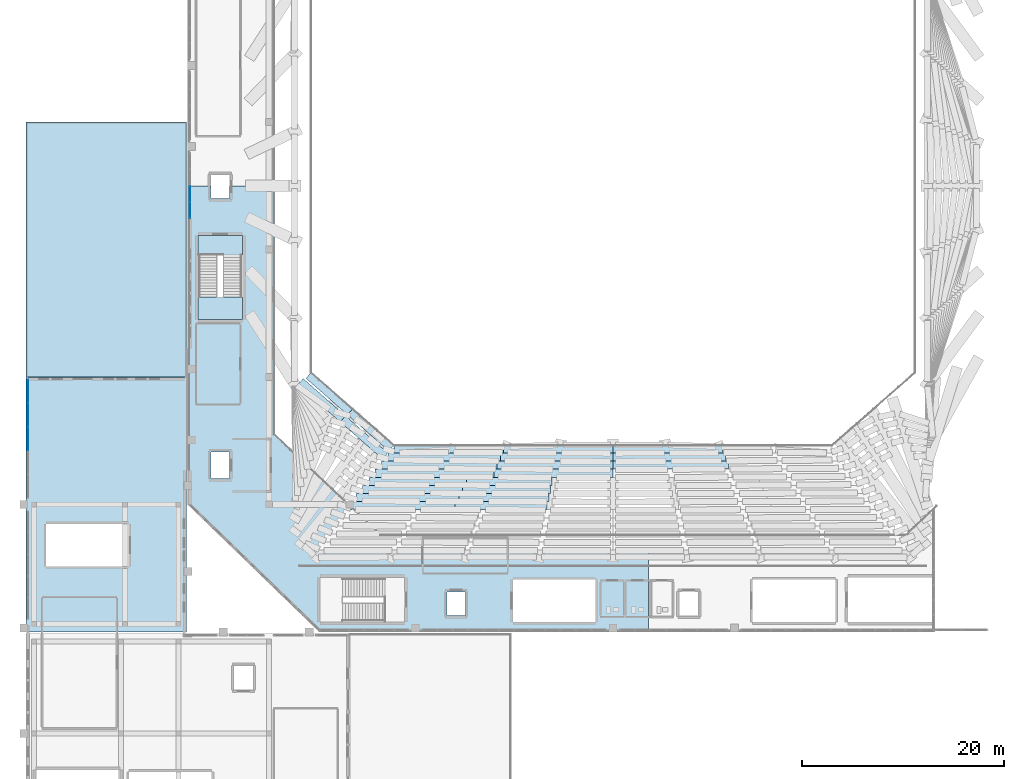
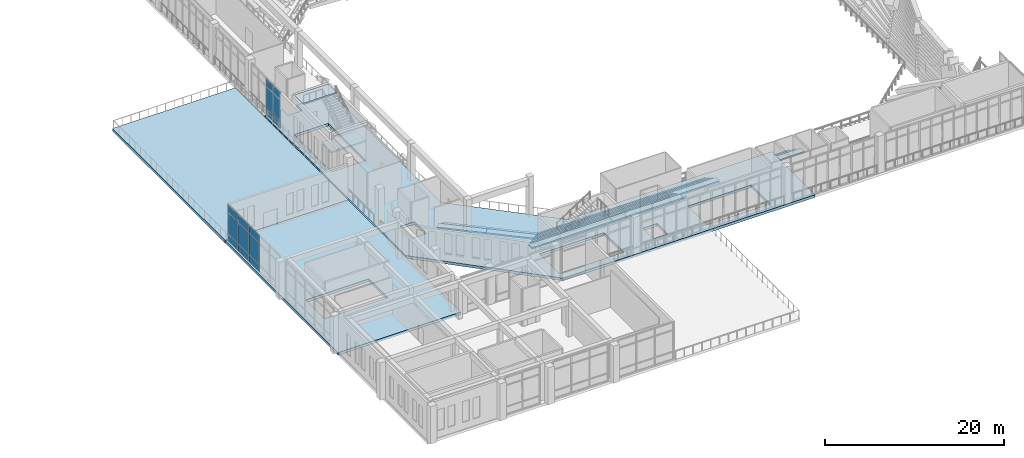
# One storey, part 33 of 55: 28 slabs, 15 plates, 3 elements without a shape of their own.
"""IFC4 building model written with IfcOpenShell, lengths in metres."""

from ifc_helpers import new_model, si_unit, derived_unit, direction, frame, origin, origin_2d, place, context, subcontext, project, spatial, polyline, rectangle, outline, extrude, material, layer, layer_set, type_object, element, aggregate, save


model = new_model("IFC4")

# Units and contexts
model_context = context("Model", 3, precision=1e-05, world=origin(), true_north=direction((0.0, 1.0)))
body_context = subcontext(model_context, "Body", "Model", "MODEL_VIEW")
ifc_project = project(units=[si_unit("LENGTHUNIT", "METRE"), si_unit("AREAUNIT", "SQUARE_METRE"), si_unit("VOLUMEUNIT", "CUBIC_METRE"), si_unit("PLANEANGLEUNIT", "RADIAN"), si_unit("MASSUNIT", "GRAM", prefix="KILO"), derived_unit("THERMALTRANSMITTANCEUNIT", [(si_unit("MASSUNIT", "GRAM", prefix="KILO"), 1), (si_unit("TIMEUNIT", "SECOND"), -3), (si_unit("THERMODYNAMICTEMPERATUREUNIT", "KELVIN"), -1)])], contexts=[model_context])

# Site, building, storey
site_placement = place(None, origin())
site = spatial("IfcSite", under=ifc_project, at=site_placement, CompositionType="ELEMENT")
building_placement = place(site_placement, origin())
building = spatial("IfcBuilding", under=site, at=building_placement, Name="Valcora Ridge Arena", CompositionType="ELEMENT")
storey_placement = place(building_placement, frame((0.0, 0.0, 21.0)))
storey = spatial("IfcBuildingStorey", under=building, at=storey_placement, Name="L04", CompositionType="ELEMENT", Elevation=21.0)

# Stair, slabs
ifc_material_1 = material(Name="Concrete C40/50", Category="concrete")
stair_type = type_object("IfcStairType", Name="TY-STAIR-ST05-54", PredefinedType="HALF_TURN_STAIR", material=ifc_material_1)
stair_placement = place(storey_placement, origin())
stair = element("IfcStair", 1, at=stair_placement, inside=storey, type_object=stair_type, Name="ST05-54 STR-CR-0028", PredefinedType="HALF_TURN_STAIR")
ifc_layer_1 = layer(ifc_material_1, 0.199951171875, Name="Concrete C40/50")
ifc_layer_set_1 = layer_set([ifc_layer_1], Name="Concrete C40/50")
slab_type_1 = type_object("IfcSlabType", Name="TY-LAND-ST05-54", PredefinedType="LANDING", material=ifc_layer_set_1)
slab_1_placement = place(storey_placement, frame((0.0, 0.0, 2.5)))
slab_1 = element("IfcSlab", 2, at=slab_1_placement, type_object=slab_type_1, Name="ST05-54 landing 1", PredefinedType="LANDING", context=body_context, shape_type="SweptSolid", body=[
    extrude(outline(polyline([(17.001953125, 50.882080078125), (21.39794921875, 50.882080078125), (21.39794921875, 53.110107421875), (17.001953125, 53.110107421875), (17.001953125, 50.882080078125)])), origin(), (0.0, 0.0, 1.0), 0.199951171875),
])
slab_2_placement = place(storey_placement, frame((0.0, 0.0, 5.199951171875)))
slab_2 = element("IfcSlab", 3, at=slab_2_placement, type_object=slab_type_1, Name="ST05-54 landing 2", PredefinedType="LANDING", context=body_context, shape_type="SweptSolid", body=[
    extrude(outline(polyline([(17.001953125, 57.27001953125), (21.39794921875, 57.27001953125), (21.39794921875, 59.197998046875), (17.001953125, 59.197998046875), (17.001953125, 57.27001953125)])), origin(), (0.0, 0.0, 1.0), 0.199951171875),
])
aggregate(stair, [slab_1, slab_2])

# Curtain wall, plates
ifc_material_2 = material(Name="Anodised dark bronze architectural aluminium 6063-T6", Category="aluminium")
ifc_layer_2 = layer(ifc_material_2, 0.179931640625, Name="Anodised dark bronze architectural aluminium 6063-T6")
ifc_layer_set_2 = layer_set([ifc_layer_2], Name="Anodised dark bronze architectural aluminium 6063-T6")
curtain_wall_type_1 = type_object("IfcCurtainWallType", Name="TY-CURTAINWALL-CW-V1-GOTH-065X51", PredefinedType="NOTDEFINED", material=ifc_layer_set_2)
curtain_wall_1_placement = place(storey_placement, origin())
curtain_wall_1 = element("IfcCurtainWall", 4, at=curtain_wall_1_placement, inside=storey, type_object=curtain_wall_type_1, Name="CW-V1-GOTH-065X51 CW-0149", PredefinedType="NOTDEFINED")
ifc_material_3 = material(Name="Low-iron solar-control double glazing SHGC 0.28", Category="glass")
ifc_layer_3 = layer(ifc_material_3, 0.031982421875, Name="Low-iron solar-control double glazing SHGC 0.28")
ifc_layer_set_3 = layer_set([ifc_layer_3], Name="Low-iron solar-control double glazing SHGC 0.28")
plate_type_1 = type_object("IfcPlateType", Name="TY-PLT-CWP-1537X0960", PredefinedType="CURTAIN_PANEL", material=ifc_layer_set_3)
plate_1_placement = place(storey_placement, frame((16.199951171875, 61.678466796875, 0.06005859375), z_axis=(0.0, 0.0, 1.0), x_axis=(0.0, 1.0, 0.0)))
plate_1 = element("IfcPlate", 5, at=plate_1_placement, type_object=plate_type_1, Name="CW-0149/P00-00", PredefinedType="CURTAIN_PANEL", context=body_context, shape_type="SweptSolid", body=[
    extrude(rectangle(XDim=1.537109375, YDim=0.031982421875, at=origin_2d()), origin(), (0.0, 0.0, 1.0), 0.9599609375),
])
ifc_layer_4 = layer(ifc_material_3, 0.031982421875, Name="Low-iron solar-control double glazing SHGC 0.28")
ifc_layer_set_4 = layer_set([ifc_layer_4], Name="Low-iron solar-control double glazing SHGC 0.28")
plate_type_2 = type_object("IfcPlateType", Name="TY-PLT-CWP-1537X1010", PredefinedType="CURTAIN_PANEL", material=ifc_layer_set_4)
plate_2_placement = place(storey_placement, frame((16.199951171875, 61.678466796875, 3.990234375), z_axis=(0.0, 0.0, 1.0), x_axis=(0.0, 1.0, 0.0)))
plate_2 = element("IfcPlate", 6, at=plate_2_placement, type_object=plate_type_2, Name="CW-0149/P00-02", PredefinedType="CURTAIN_PANEL", context=body_context, shape_type="SweptSolid", body=[
    extrude(rectangle(XDim=1.537109375, YDim=0.031982421875, at=origin_2d()), origin(), (0.0, 0.0, 1.0), 1.010009765625),
])
ifc_layer_5 = layer(ifc_material_3, 0.031982421875, Name="Low-iron solar-control double glazing SHGC 0.28")
ifc_layer_set_5 = layer_set([ifc_layer_5], Name="Low-iron solar-control double glazing SHGC 0.28")
plate_type_3 = type_object("IfcPlateType", Name="TY-PLT-CWP-1537X2850", PredefinedType="CURTAIN_PANEL", material=ifc_layer_set_5)
plate_3_placement = place(storey_placement, frame((16.199951171875, 61.678466796875, 1.079833984375), z_axis=(0.0, 0.0, 1.0), x_axis=(0.0, 1.0, 0.0)))
plate_3 = element("IfcPlate", 7, at=plate_3_placement, type_object=plate_type_3, Name="CW-0149/P00-01", PredefinedType="CURTAIN_PANEL", context=body_context, shape_type="SweptSolid", body=[
    extrude(rectangle(XDim=1.537109375, YDim=0.031982421875, at=origin_2d()), origin(), (0.0, 0.0, 1.0), 2.85009765625),
])
ifc_layer_6 = layer(ifc_material_3, 0.031982421875, Name="Low-iron solar-control double glazing SHGC 0.28")
ifc_layer_set_6 = layer_set([ifc_layer_6], Name="Low-iron solar-control double glazing SHGC 0.28")
plate_type_4 = type_object("IfcPlateType", Name="TY-PLT-CWP-1568X0960", PredefinedType="CURTAIN_PANEL", material=ifc_layer_set_6)
plate_4_placement = place(storey_placement, frame((16.199951171875, 63.291015625, 0.06005859375), z_axis=(0.0, 0.0, 1.0), x_axis=(0.0, 1.0, 0.0)))
plate_4 = element("IfcPlate", 8, at=plate_4_placement, type_object=plate_type_4, Name="CW-0149/P01-00", PredefinedType="CURTAIN_PANEL", context=body_context, shape_type="SweptSolid", body=[
    extrude(rectangle(XDim=1.568115234375, YDim=0.031982421875, at=origin_2d()), origin(), (0.0, 0.0, 1.0), 0.9599609375),
])
ifc_layer_7 = layer(ifc_material_3, 0.031982421875, Name="Low-iron solar-control double glazing SHGC 0.28")
ifc_layer_set_7 = layer_set([ifc_layer_7], Name="Low-iron solar-control double glazing SHGC 0.28")
plate_type_5 = type_object("IfcPlateType", Name="TY-PLT-CWP-1568X1010", PredefinedType="CURTAIN_PANEL", material=ifc_layer_set_7)
plate_5_placement = place(storey_placement, frame((16.199951171875, 63.291015625, 3.990234375), z_axis=(0.0, 0.0, 1.0), x_axis=(0.0, 1.0, 0.0)))
plate_5 = element("IfcPlate", 9, at=plate_5_placement, type_object=plate_type_5, Name="CW-0149/P01-02", PredefinedType="CURTAIN_PANEL", context=body_context, shape_type="SweptSolid", body=[
    extrude(rectangle(XDim=1.568115234375, YDim=0.031982421875, at=origin_2d()), origin(), (0.0, 0.0, 1.0), 1.010009765625),
])
ifc_layer_8 = layer(ifc_material_3, 0.031982421875, Name="Low-iron solar-control double glazing SHGC 0.28")
ifc_layer_set_8 = layer_set([ifc_layer_8], Name="Low-iron solar-control double glazing SHGC 0.28")
plate_type_6 = type_object("IfcPlateType", Name="TY-PLT-CWP-1568X2850", PredefinedType="CURTAIN_PANEL", material=ifc_layer_set_8)
plate_6_placement = place(storey_placement, frame((16.199951171875, 63.291015625, 1.079833984375), z_axis=(0.0, 0.0, 1.0), x_axis=(0.0, 1.0, 0.0)))
plate_6 = element("IfcPlate", 10, at=plate_6_placement, type_object=plate_type_6, Name="CW-0149/P01-01", PredefinedType="CURTAIN_PANEL", context=body_context, shape_type="SweptSolid", body=[
    extrude(rectangle(XDim=1.568115234375, YDim=0.031982421875, at=origin_2d()), origin(), (0.0, 0.0, 1.0), 2.85009765625),
])
aggregate(curtain_wall_1, [plate_1, plate_3, plate_2, plate_4, plate_6, plate_5])

ifc_layer_9 = layer(ifc_material_2, 0.14990234375, Name="Anodised dark bronze architectural aluminium 6063-T6")
ifc_layer_set_9 = layer_set([ifc_layer_9], Name="Anodised dark bronze architectural aluminium 6063-T6")
curtain_wall_type_2 = type_object("IfcCurtainWallType", Name="TY-CURTAINWALL-CW-V4-CLUB-117X51", PredefinedType="NOTDEFINED", material=ifc_layer_set_9)
curtain_wall_2_placement = place(storey_placement, origin())
curtain_wall_2 = element("IfcCurtainWall", 11, at=curtain_wall_2_placement, inside=storey, type_object=curtain_wall_type_2, Name="CW-V4-CLUB-117X51 CW-0305", PredefinedType="NOTDEFINED")
ifc_layer_10 = layer(ifc_material_3, 0.028076171875, Name="Low-iron solar-control double glazing SHGC 0.28")
ifc_layer_set_10 = layer_set([ifc_layer_10], Name="Low-iron solar-control double glazing SHGC 0.28")
plate_type_7 = type_object("IfcPlateType", Name="TY-PLT-CWP-2273X0975", PredefinedType="CURTAIN_PANEL", material=ifc_layer_set_10)
plate_7_placement = place(storey_placement, frame((0.219970703125, 43.79345703125, 0.050048828125), z_axis=(0.0, 0.0, 1.0), x_axis=(0.0, 1.0, 0.0)))
plate_7 = element("IfcPlate", 12, at=plate_7_placement, type_object=plate_type_7, Name="CW-0305/P04-00", PredefinedType="CURTAIN_PANEL", context=body_context, shape_type="SweptSolid", body=[
    extrude(rectangle(XDim=2.27294921875, YDim=0.028076171875, at=origin_2d()), origin(), (0.0, 0.0, 1.0), 0.97509765625),
])
ifc_layer_11 = layer(ifc_material_3, 0.028076171875, Name="Low-iron solar-control double glazing SHGC 0.28")
ifc_layer_set_11 = layer_set([ifc_layer_11], Name="Low-iron solar-control double glazing SHGC 0.28")
plate_type_8 = type_object("IfcPlateType", Name="TY-PLT-CWP-2273X1025", PredefinedType="CURTAIN_PANEL", material=ifc_layer_set_11)
plate_8_placement = place(storey_placement, frame((0.219970703125, 43.79345703125, 4.005126953125), z_axis=(0.0, 0.0, 1.0), x_axis=(0.0, 1.0, 0.0)))
plate_8 = element("IfcPlate", 13, at=plate_8_placement, type_object=plate_type_8, Name="CW-0305/P04-02", PredefinedType="CURTAIN_PANEL", context=body_context, shape_type="SweptSolid", body=[
    extrude(rectangle(XDim=2.27294921875, YDim=0.028076171875, at=origin_2d()), origin(), (0.0, 0.0, 1.0), 1.02490234375),
])
ifc_layer_12 = layer(ifc_material_3, 0.028076171875, Name="Low-iron solar-control double glazing SHGC 0.28")
ifc_layer_set_12 = layer_set([ifc_layer_12], Name="Low-iron solar-control double glazing SHGC 0.28")
plate_type_9 = type_object("IfcPlateType", Name="TY-PLT-CWP-2273X2880", PredefinedType="CURTAIN_PANEL", material=ifc_layer_set_12)
plate_9_placement = place(storey_placement, frame((0.219970703125, 43.79345703125, 1.074951171875), z_axis=(0.0, 0.0, 1.0), x_axis=(0.0, 1.0, 0.0)))
plate_9 = element("IfcPlate", 14, at=plate_9_placement, type_object=plate_type_9, Name="CW-0305/P04-01", PredefinedType="CURTAIN_PANEL", context=body_context, shape_type="SweptSolid", body=[
    extrude(rectangle(XDim=2.27294921875, YDim=0.028076171875, at=origin_2d()), origin(), (0.0, 0.0, 1.0), 2.8798828125),
])
ifc_layer_13 = layer(ifc_material_3, 0.028076171875, Name="Low-iron solar-control double glazing SHGC 0.28")
ifc_layer_set_13 = layer_set([ifc_layer_13], Name="Low-iron solar-control double glazing SHGC 0.28")
plate_type_10 = type_object("IfcPlateType", Name="TY-PLT-CWP-2298X0975", PredefinedType="CURTAIN_PANEL", material=ifc_layer_set_13)
plate_10_placement = place(storey_placement, frame((0.219970703125, 39.110107421875, 0.050048828125), z_axis=(0.0, 0.0, 1.0), x_axis=(0.0, 1.0, 0.0)))
plate_10 = element("IfcPlate", 15, at=plate_10_placement, type_object=plate_type_10, Name="CW-0305/P02-00", PredefinedType="CURTAIN_PANEL", context=body_context, shape_type="SweptSolid", body=[
    extrude(rectangle(XDim=2.298095703125, YDim=0.028076171875, at=origin_2d()), origin(), (0.0, 0.0, 1.0), 0.97509765625),
])
plate_11_placement = place(storey_placement, frame((0.219970703125, 41.4580078125, 0.050048828125), z_axis=(0.0, 0.0, 1.0), x_axis=(0.0, 1.0, 0.0)))
plate_11 = element("IfcPlate", 16, at=plate_11_placement, type_object=plate_type_10, Name="CW-0305/P03-00", PredefinedType="CURTAIN_PANEL", context=body_context, shape_type="SweptSolid", body=[
    extrude(rectangle(XDim=2.298095703125, YDim=0.028076171875, at=origin_2d()), origin(), (0.0, 0.0, 1.0), 0.97509765625),
])
ifc_layer_14 = layer(ifc_material_3, 0.028076171875, Name="Low-iron solar-control double glazing SHGC 0.28")
ifc_layer_set_14 = layer_set([ifc_layer_14], Name="Low-iron solar-control double glazing SHGC 0.28")
plate_type_11 = type_object("IfcPlateType", Name="TY-PLT-CWP-2298X1025", PredefinedType="CURTAIN_PANEL", material=ifc_layer_set_14)
plate_12_placement = place(storey_placement, frame((0.219970703125, 39.110107421875, 4.005126953125), z_axis=(0.0, 0.0, 1.0), x_axis=(0.0, 1.0, 0.0)))
plate_12 = element("IfcPlate", 17, at=plate_12_placement, type_object=plate_type_11, Name="CW-0305/P02-02", PredefinedType="CURTAIN_PANEL", context=body_context, shape_type="SweptSolid", body=[
    extrude(rectangle(XDim=2.298095703125, YDim=0.028076171875, at=origin_2d()), origin(), (0.0, 0.0, 1.0), 1.02490234375),
])
plate_13_placement = place(storey_placement, frame((0.219970703125, 41.4580078125, 4.005126953125), z_axis=(0.0, 0.0, 1.0), x_axis=(0.0, 1.0, 0.0)))
plate_13 = element("IfcPlate", 18, at=plate_13_placement, type_object=plate_type_11, Name="CW-0305/P03-02", PredefinedType="CURTAIN_PANEL", context=body_context, shape_type="SweptSolid", body=[
    extrude(rectangle(XDim=2.298095703125, YDim=0.028076171875, at=origin_2d()), origin(), (0.0, 0.0, 1.0), 1.02490234375),
])
ifc_layer_15 = layer(ifc_material_3, 0.028076171875, Name="Low-iron solar-control double glazing SHGC 0.28")
ifc_layer_set_15 = layer_set([ifc_layer_15], Name="Low-iron solar-control double glazing SHGC 0.28")
plate_type_12 = type_object("IfcPlateType", Name="TY-PLT-CWP-2298X2880", PredefinedType="CURTAIN_PANEL", material=ifc_layer_set_15)
plate_14_placement = place(storey_placement, frame((0.219970703125, 39.110107421875, 1.074951171875), z_axis=(0.0, 0.0, 1.0), x_axis=(0.0, 1.0, 0.0)))
plate_14 = element("IfcPlate", 19, at=plate_14_placement, type_object=plate_type_12, Name="CW-0305/P02-01", PredefinedType="CURTAIN_PANEL", context=body_context, shape_type="SweptSolid", body=[
    extrude(rectangle(XDim=2.298095703125, YDim=0.028076171875, at=origin_2d()), origin(), (0.0, 0.0, 1.0), 2.8798828125),
])
plate_15_placement = place(storey_placement, frame((0.219970703125, 41.4580078125, 1.074951171875), z_axis=(0.0, 0.0, 1.0), x_axis=(0.0, 1.0, 0.0)))
plate_15 = element("IfcPlate", 20, at=plate_15_placement, type_object=plate_type_12, Name="CW-0305/P03-01", PredefinedType="CURTAIN_PANEL", context=body_context, shape_type="SweptSolid", body=[
    extrude(rectangle(XDim=2.298095703125, YDim=0.028076171875, at=origin_2d()), origin(), (0.0, 0.0, 1.0), 2.8798828125),
])
aggregate(curtain_wall_2, [plate_10, plate_14, plate_12, plate_11, plate_15, plate_13, plate_7, plate_9, plate_8])

# Slabs
ifc_layer_16 = layer(ifc_material_1, 0.360107421875, Name="Concrete C40/50")
ifc_layer_set_16 = layer_set([ifc_layer_16], Name="Concrete C40/50")
slab_type_2 = type_object("IfcSlabType", Name="TY-SLAB-SL-TERR-L04-P2", PredefinedType="FLOOR", material=ifc_layer_set_16)
slab_3_placement = place(storey_placement, frame((0.0, 0.0, -0.360107421875)))
element("IfcSlab", 21, at=slab_3_placement, inside=storey, type_object=slab_type_2, Name="SL-TERR-L04-P2 SLB-0069", PredefinedType="FLOOR", context=body_context, shape_type="SweptSolid", body=[
    extrude(outline(polyline([(0.0, 70.39990234375), (0.0, 45.199951171875), (15.85009765625, 45.199951171875), (15.85009765625, 70.39990234375), (0.0, 70.39990234375)])), origin(), (0.0, 0.0, 1.0), 0.360107421875),
])
ifc_layer_17 = layer(ifc_material_1, 0.360107421875, Name="Concrete C40/50")
ifc_layer_set_17 = layer_set([ifc_layer_17], Name="Concrete C40/50")
slab_type_3 = type_object("IfcSlabType", Name="TY-SLAB-SL-UPPR-360-SW", PredefinedType="FLOOR", material=ifc_layer_set_17)
slab_4_placement = place(storey_placement, frame((0.0, 0.0, -0.360107421875)))
element("IfcSlab", 22, at=slab_4_placement, inside=storey, type_object=slab_type_3, Name="SL-UPPR-360-SW SLB-0049", PredefinedType="FLOOR", context=body_context, shape_type="SweptSolid", body=[
    extrude(outline(polyline([(16.0, 64.10009765625), (16.0, 32.60009765625), (29.0, 20.0), (61.5, 20.0), (61.5, 29.699951171875), (35.10009765625, 29.699951171875), (24.60009765625, 39.60009765625), (24.60009765625, 64.10009765625), (20.1201171875, 64.10009765625), (20.1201171875, 62.830078125), (18.280029296875, 62.830078125), (18.280029296875, 64.10009765625), (16.0, 64.10009765625)]), holes=[polyline([(48.10009765625, 21.0), (56.260009765625, 21.0), (56.260009765625, 25.199951171875), (48.10009765625, 25.199951171875), (48.10009765625, 21.0)]), polyline([(37.39990234375, 21.0), (37.39990234375, 25.39990234375), (29.080078125, 25.39990234375), (29.080078125, 21.0), (37.39990234375, 21.0)]), polyline([(17.0, 50.8798828125), (21.39990234375, 50.8798828125), (21.39990234375, 59.199951171875), (17.0, 59.199951171875), (17.0, 50.8798828125)]), polyline([(41.580078125, 23.969970703125), (41.580078125, 21.6298828125), (43.419921875, 21.6298828125), (43.419921875, 23.969970703125), (41.580078125, 23.969970703125)]), polyline([(18.280029296875, 37.820068359375), (18.280029296875, 35.179931640625), (20.1201171875, 35.179931640625), (20.1201171875, 37.820068359375), (18.280029296875, 37.820068359375)])]), origin(), (0.0, 0.0, 1.0), 0.360107421875),
])
ifc_layer_18 = layer(ifc_material_1, 0.360107421875, Name="Concrete C40/50")
ifc_layer_set_18 = layer_set([ifc_layer_18], Name="Concrete C40/50")
slab_type_4 = type_object("IfcSlabType", Name="TY-SLAB-SL-V4-360U-P2", PredefinedType="FLOOR", material=ifc_layer_set_18)
slab_5_placement = place(storey_placement, frame((0.0, 0.0, -0.360107421875)))
element("IfcSlab", 23, at=slab_5_placement, inside=storey, type_object=slab_type_4, Name="SL-V4-360U-P2 SLB-0067", PredefinedType="FLOOR", context=body_context, shape_type="SweptSolid", body=[
    extrude(outline(polyline([(0.0, 45.199951171875), (0.0, 20.0), (15.85009765625, 20.0), (15.85009765625, 45.199951171875), (0.0, 45.199951171875)]), holes=[polyline([(2.0, 26.5), (10.159912109375, 26.5), (10.159912109375, 30.699951171875), (2.0, 30.699951171875), (2.0, 26.5)])]), origin(), (0.0, 0.0, 1.0), 0.360107421875),
])
ifc_material_4 = material(Name="Precast concrete C45/55", Category="concrete")
ifc_layer_19 = layer(ifc_material_4, 0.199951171875, Name="Precast concrete C45/55")
ifc_layer_set_19 = layer_set([ifc_layer_19], Name="Precast concrete C45/55")
slab_type_5 = type_object("IfcSlabType", Name="TY-SLAB-ST-UPP-L054", PredefinedType="USERDEFINED", material=ifc_layer_set_19)
slab_6_placement = place(storey_placement, frame((0.0, 0.0, -7.800048828125)))
element("IfcSlab", 24, at=slab_6_placement, inside=storey, type_object=slab_type_5, Name="ST-UPP-L054 SLB-TR-0491", ObjectType="SEATING TIER", PredefinedType="USERDEFINED", context=body_context, shape_type="SweptSolid", body=[
    extrude(outline(polyline([(28.199951171875, 45.676025390625), (32.2880859375, 42.087890625), (31.76025390625, 41.48681640625), (27.67236328125, 45.07470703125), (28.199951171875, 45.676025390625)])), origin(), (0.0, 0.0, 1.0), 0.199951171875),
])
slab_7_placement = place(storey_placement, frame((0.0, 0.0, -7.800048828125)))
element("IfcSlab", 25, at=slab_7_placement, inside=storey, type_object=slab_type_5, Name="ST-UPP-L054 SLB-TR-0492", ObjectType="SEATING TIER", PredefinedType="USERDEFINED", context=body_context, shape_type="SweptSolid", body=[
    extrude(outline(polyline([(32.2880859375, 42.087890625), (36.3759765625, 38.5), (35.848388671875, 37.898681640625), (31.76025390625, 41.48681640625), (32.2880859375, 42.087890625)])), origin(), (0.0, 0.0, 1.0), 0.199951171875),
])
ifc_layer_20 = layer(ifc_material_4, 0.199951171875, Name="Precast concrete C45/55")
ifc_layer_set_20 = layer_set([ifc_layer_20], Name="Precast concrete C45/55")
slab_type_6 = type_object("IfcSlabType", Name="TY-SLAB-ST-UPP-L056", PredefinedType="USERDEFINED", material=ifc_layer_set_20)
slab_8_placement = place(storey_placement, frame((0.0, 0.0, -7.320068359375)))
element("IfcSlab", 26, at=slab_8_placement, inside=storey, type_object=slab_type_6, Name="ST-UPP-L056 SLB-TR-0503", ObjectType="SEATING TIER", PredefinedType="USERDEFINED", context=body_context, shape_type="SweptSolid", body=[
    extrude(outline(polyline([(27.39990234375, 45.052001953125), (31.575927734375, 41.3759765625), (31.04736328125, 40.775390625), (26.871337890625, 44.451416015625), (27.39990234375, 45.052001953125)])), origin(), (0.0, 0.0, 1.0), 0.199951171875),
])
slab_9_placement = place(storey_placement, frame((0.0, 0.0, -7.320068359375)))
element("IfcSlab", 27, at=slab_9_placement, inside=storey, type_object=slab_type_6, Name="ST-UPP-L056 SLB-TR-0504", ObjectType="SEATING TIER", PredefinedType="USERDEFINED", context=body_context, shape_type="SweptSolid", body=[
    extrude(outline(polyline([(31.575927734375, 41.3759765625), (35.751953125, 37.699951171875), (35.223388671875, 37.099609375), (31.04736328125, 40.775390625), (31.575927734375, 41.3759765625)])), origin(), (0.0, 0.0, 1.0), 0.199951171875),
])
ifc_layer_21 = layer(ifc_material_4, 0.199951171875, Name="Precast concrete C45/55")
ifc_layer_set_21 = layer_set([ifc_layer_21], Name="Precast concrete C45/55")
slab_type_7 = type_object("IfcSlabType", Name="TY-SLAB-ST-UPP-L084", PredefinedType="USERDEFINED", material=ifc_layer_set_21)
slab_10_placement = place(storey_placement, frame((0.0, 0.0, -5.8798828125)))
element("IfcSlab", 28, at=slab_10_placement, inside=storey, type_object=slab_type_7, Name="ST-UPP-L084 SLB-TR-0522", ObjectType="SEATING TIER", PredefinedType="USERDEFINED", context=body_context, shape_type="SweptSolid", body=[
    extrude(outline(polyline([(43.528076171875, 35.300048828125), (51.969970703125, 35.300048828125), (51.969970703125, 34.5), (43.528076171875, 34.5), (43.528076171875, 35.300048828125)])), origin(), (0.0, 0.0, 1.0), 0.199951171875),
])
ifc_layer_22 = layer(ifc_material_4, 0.199951171875, Name="Precast concrete C45/55")
ifc_layer_set_22 = layer_set([ifc_layer_22], Name="Precast concrete C45/55")
slab_type_8 = type_object("IfcSlabType", Name="TY-SLAB-ST-UPP-L087", PredefinedType="USERDEFINED", material=ifc_layer_set_22)
slab_11_placement = place(storey_placement, frame((0.0, 0.0, -5.39990234375)))
element("IfcSlab", 29, at=slab_11_placement, inside=storey, type_object=slab_type_8, Name="ST-UPP-L087 SLB-TR-0530", ObjectType="SEATING TIER", PredefinedType="USERDEFINED", context=body_context, shape_type="SweptSolid", body=[
    extrude(outline(polyline([(43.153564453125, 34.5), (51.81396484375, 34.5), (51.81396484375, 33.699951171875), (43.153564453125, 33.699951171875), (43.153564453125, 34.5)])), origin(), (0.0, 0.0, 1.0), 0.199951171875),
])
ifc_layer_23 = layer(ifc_material_4, 0.199951171875, Name="Precast concrete C45/55")
ifc_layer_set_23 = layer_set([ifc_layer_23], Name="Precast concrete C45/55")
slab_type_9 = type_object("IfcSlabType", Name="TY-SLAB-ST-UPP-L089", PredefinedType="USERDEFINED", material=ifc_layer_set_23)
slab_12_placement = place(storey_placement, frame((0.0, 0.0, -4.919921875)))
element("IfcSlab", 30, at=slab_12_placement, inside=storey, type_object=slab_type_9, Name="ST-UPP-L089 SLB-TR-0538", ObjectType="SEATING TIER", PredefinedType="USERDEFINED", context=body_context, shape_type="SweptSolid", body=[
    extrude(outline(polyline([(42.779296875, 33.699951171875), (51.657958984375, 33.699951171875), (51.657958984375, 32.89990234375), (42.779296875, 32.89990234375), (42.779296875, 33.699951171875)])), origin(), (0.0, 0.0, 1.0), 0.199951171875),
])
ifc_layer_24 = layer(ifc_material_4, 0.199951171875, Name="Precast concrete C45/55")
ifc_layer_set_24 = layer_set([ifc_layer_24], Name="Precast concrete C45/55")
slab_type_10 = type_object("IfcSlabType", Name="TY-SLAB-ST-UPP-L091", PredefinedType="USERDEFINED", material=ifc_layer_set_24)
slab_13_placement = place(storey_placement, frame((0.0, 0.0, -4.43994140625)))
element("IfcSlab", 31, at=slab_13_placement, inside=storey, type_object=slab_type_10, Name="ST-UPP-L091 SLB-TR-0546", ObjectType="SEATING TIER", PredefinedType="USERDEFINED", context=body_context, shape_type="SweptSolid", body=[
    extrude(outline(polyline([(42.40478515625, 32.89990234375), (51.501953125, 32.89990234375), (51.501953125, 32.10009765625), (42.40478515625, 32.10009765625), (42.40478515625, 32.89990234375)])), origin(), (0.0, 0.0, 1.0), 0.199951171875),
])
ifc_layer_25 = layer(ifc_material_4, 0.199951171875, Name="Precast concrete C45/55")
ifc_layer_set_25 = layer_set([ifc_layer_25], Name="Precast concrete C45/55")
slab_type_11 = type_object("IfcSlabType", Name="TY-SLAB-ST-UPP-L096", PredefinedType="USERDEFINED", material=ifc_layer_set_25)
slab_14_placement = place(storey_placement, frame((0.0, 0.0, -5.8798828125)))
element("IfcSlab", 32, at=slab_14_placement, inside=storey, type_object=slab_type_11, Name="ST-UPP-L096 SLB-TR-0521", ObjectType="SEATING TIER", PredefinedType="USERDEFINED", context=body_context, shape_type="SweptSolid", body=[
    extrude(outline(polyline([(33.8798828125, 35.300048828125), (43.528076171875, 35.300048828125), (43.528076171875, 34.5), (33.8798828125, 34.5), (33.8798828125, 35.300048828125)])), origin(), (0.0, 0.0, 1.0), 0.199951171875),
])
ifc_layer_26 = layer(ifc_material_4, 0.199951171875, Name="Precast concrete C45/55")
ifc_layer_set_26 = layer_set([ifc_layer_26], Name="Precast concrete C45/55")
slab_type_12 = type_object("IfcSlabType", Name="TY-SLAB-ST-UPP-L099", PredefinedType="USERDEFINED", material=ifc_layer_set_26)
slab_15_placement = place(storey_placement, frame((0.0, 0.0, -5.39990234375)))
element("IfcSlab", 33, at=slab_15_placement, inside=storey, type_object=slab_type_12, Name="ST-UPP-L099 SLB-TR-0529", ObjectType="SEATING TIER", PredefinedType="USERDEFINED", context=body_context, shape_type="SweptSolid", body=[
    extrude(outline(polyline([(33.256103515625, 34.5), (43.153564453125, 34.5), (43.153564453125, 33.699951171875), (33.256103515625, 33.699951171875), (33.256103515625, 34.5)])), origin(), (0.0, 0.0, 1.0), 0.199951171875),
])
ifc_layer_27 = layer(ifc_material_4, 0.199951171875, Name="Precast concrete C45/55")
ifc_layer_set_27 = layer_set([ifc_layer_27], Name="Precast concrete C45/55")
slab_type_13 = type_object("IfcSlabType", Name="TY-SLAB-ST-UPP-L101", PredefinedType="USERDEFINED", material=ifc_layer_set_27)
slab_16_placement = place(storey_placement, frame((0.0, 0.0, -4.919921875)))
element("IfcSlab", 34, at=slab_16_placement, inside=storey, type_object=slab_type_13, Name="ST-UPP-L101 SLB-TR-0537", ObjectType="SEATING TIER", PredefinedType="USERDEFINED", context=body_context, shape_type="SweptSolid", body=[
    extrude(outline(polyline([(32.632080078125, 33.699951171875), (42.779296875, 33.699951171875), (42.779296875, 32.89990234375), (32.632080078125, 32.89990234375), (32.632080078125, 33.699951171875)])), origin(), (0.0, 0.0, 1.0), 0.199951171875),
])
ifc_layer_28 = layer(ifc_material_4, 0.199951171875, Name="Precast concrete C45/55")
ifc_layer_set_28 = layer_set([ifc_layer_28], Name="Precast concrete C45/55")
slab_type_14 = type_object("IfcSlabType", Name="TY-SLAB-ST-UPP-L104", PredefinedType="USERDEFINED", material=ifc_layer_set_28)
slab_17_placement = place(storey_placement, frame((0.0, 0.0, -4.43994140625)))
element("IfcSlab", 35, at=slab_17_placement, inside=storey, type_object=slab_type_14, Name="ST-UPP-L104 SLB-TR-0545", ObjectType="SEATING TIER", PredefinedType="USERDEFINED", context=body_context, shape_type="SweptSolid", body=[
    extrude(outline(polyline([(32.008056640625, 32.89990234375), (42.40478515625, 32.89990234375), (42.40478515625, 32.10009765625), (32.008056640625, 32.10009765625), (32.008056640625, 32.89990234375)])), origin(), (0.0, 0.0, 1.0), 0.199951171875),
])
ifc_layer_29 = layer(ifc_material_4, 0.199951171875, Name="Precast concrete C45/55")
ifc_layer_set_29 = layer_set([ifc_layer_29], Name="Precast concrete C45/55")
slab_type_15 = type_object("IfcSlabType", Name="TY-SLAB-ST-UPP-L108", PredefinedType="USERDEFINED", material=ifc_layer_set_29)
slab_18_placement = place(storey_placement, frame((0.0, 0.0, -7.800048828125)))
element("IfcSlab", 36, at=slab_18_placement, inside=storey, type_object=slab_type_15, Name="ST-UPP-L108 SLB-TR-0481", ObjectType="SEATING TIER", PredefinedType="USERDEFINED", context=body_context, shape_type="SweptSolid", body=[
    extrude(outline(polyline([(36.3759765625, 38.5), (47.18798828125, 38.5), (47.18798828125, 37.699951171875), (36.3759765625, 37.699951171875), (36.3759765625, 38.5)])), origin(), (0.0, 0.0, 1.0), 0.199951171875),
])
slab_19_placement = place(storey_placement, frame((0.0, 0.0, -7.800048828125)))
element("IfcSlab", 37, at=slab_19_placement, inside=storey, type_object=slab_type_15, Name="ST-UPP-L108 SLB-TR-0482", ObjectType="SEATING TIER", PredefinedType="USERDEFINED", context=body_context, shape_type="SweptSolid", body=[
    extrude(outline(polyline([(47.18798828125, 38.5), (58.0, 38.5), (58.0, 37.699951171875), (47.18798828125, 37.699951171875), (47.18798828125, 38.5)])), origin(), (0.0, 0.0, 1.0), 0.199951171875),
])
slab_20_placement = place(storey_placement, frame((0.0, 0.0, -7.800048828125)))
element("IfcSlab", 38, at=slab_20_placement, inside=storey, type_object=slab_type_15, Name="ST-UPP-L108 SLB-TR-0483", ObjectType="SEATING TIER", PredefinedType="USERDEFINED", context=body_context, shape_type="SweptSolid", body=[
    extrude(outline(polyline([(58.0, 38.5), (68.81201171875, 38.5), (68.81201171875, 37.699951171875), (58.0, 37.699951171875), (58.0, 38.5)])), origin(), (0.0, 0.0, 1.0), 0.199951171875),
])
ifc_layer_30 = layer(ifc_material_4, 0.199951171875, Name="Precast concrete C45/55")
ifc_layer_set_30 = layer_set([ifc_layer_30], Name="Precast concrete C45/55")
slab_type_16 = type_object("IfcSlabType", Name="TY-SLAB-ST-UPP-L111", PredefinedType="USERDEFINED", material=ifc_layer_set_30)
slab_21_placement = place(storey_placement, frame((0.0, 0.0, -7.320068359375)))
element("IfcSlab", 39, at=slab_21_placement, inside=storey, type_object=slab_type_16, Name="ST-UPP-L111 SLB-TR-0493", ObjectType="SEATING TIER", PredefinedType="USERDEFINED", context=body_context, shape_type="SweptSolid", body=[
    extrude(outline(polyline([(35.751953125, 37.699951171875), (46.8759765625, 37.699951171875), (46.8759765625, 36.89990234375), (35.751953125, 36.89990234375), (35.751953125, 37.699951171875)])), origin(), (0.0, 0.0, 1.0), 0.199951171875),
])
slab_22_placement = place(storey_placement, frame((0.0, 0.0, -7.320068359375)))
element("IfcSlab", 40, at=slab_22_placement, inside=storey, type_object=slab_type_16, Name="ST-UPP-L111 SLB-TR-0494", ObjectType="SEATING TIER", PredefinedType="USERDEFINED", context=body_context, shape_type="SweptSolid", body=[
    extrude(outline(polyline([(46.8759765625, 37.699951171875), (58.0, 37.699951171875), (58.0, 36.89990234375), (46.8759765625, 36.89990234375), (46.8759765625, 37.699951171875)])), origin(), (0.0, 0.0, 1.0), 0.199951171875),
])
slab_23_placement = place(storey_placement, frame((0.0, 0.0, -7.320068359375)))
element("IfcSlab", 41, at=slab_23_placement, inside=storey, type_object=slab_type_16, Name="ST-UPP-L111 SLB-TR-0495", ObjectType="SEATING TIER", PredefinedType="USERDEFINED", context=body_context, shape_type="SweptSolid", body=[
    extrude(outline(polyline([(58.0, 37.699951171875), (69.1240234375, 37.699951171875), (69.1240234375, 36.89990234375), (58.0, 36.89990234375), (58.0, 37.699951171875)])), origin(), (0.0, 0.0, 1.0), 0.199951171875),
])
ifc_layer_31 = layer(ifc_material_4, 0.199951171875, Name="Precast concrete C45/55")
ifc_layer_set_31 = layer_set([ifc_layer_31], Name="Precast concrete C45/55")
slab_type_17 = type_object("IfcSlabType", Name="TY-SLAB-ST-UPP-L114", PredefinedType="USERDEFINED", material=ifc_layer_set_31)
slab_24_placement = place(storey_placement, frame((0.0, 0.0, -6.840087890625)))
element("IfcSlab", 42, at=slab_24_placement, inside=storey, type_object=slab_type_17, Name="ST-UPP-L114 SLB-TR-0505", ObjectType="SEATING TIER", PredefinedType="USERDEFINED", context=body_context, shape_type="SweptSolid", body=[
    extrude(outline(polyline([(35.1279296875, 36.89990234375), (46.56396484375, 36.89990234375), (46.56396484375, 36.10009765625), (35.1279296875, 36.10009765625), (35.1279296875, 36.89990234375)])), origin(), (0.0, 0.0, 1.0), 0.2001953125),
])
slab_25_placement = place(storey_placement, frame((0.0, 0.0, -6.840087890625)))
element("IfcSlab", 43, at=slab_25_placement, inside=storey, type_object=slab_type_17, Name="ST-UPP-L114 SLB-TR-0506", ObjectType="SEATING TIER", PredefinedType="USERDEFINED", context=body_context, shape_type="SweptSolid", body=[
    extrude(outline(polyline([(46.56396484375, 36.89990234375), (58.0, 36.89990234375), (58.0, 36.10009765625), (46.56396484375, 36.10009765625), (46.56396484375, 36.89990234375)])), origin(), (0.0, 0.0, 1.0), 0.2001953125),
])
slab_26_placement = place(storey_placement, frame((0.0, 0.0, -6.840087890625)))
element("IfcSlab", 44, at=slab_26_placement, inside=storey, type_object=slab_type_17, Name="ST-UPP-L114 SLB-TR-0507", ObjectType="SEATING TIER", PredefinedType="USERDEFINED", context=body_context, shape_type="SweptSolid", body=[
    extrude(outline(polyline([(58.0, 36.89990234375), (69.43603515625, 36.89990234375), (69.43603515625, 36.10009765625), (58.0, 36.10009765625), (58.0, 36.89990234375)])), origin(), (0.0, 0.0, 1.0), 0.2001953125),
])
ifc_layer_32 = layer(ifc_material_4, 0.199951171875, Name="Precast concrete C45/55")
ifc_layer_set_32 = layer_set([ifc_layer_32], Name="Precast concrete C45/55")
slab_type_18 = type_object("IfcSlabType", Name="TY-SLAB-ST-UPP-L117", PredefinedType="USERDEFINED", material=ifc_layer_set_32)
slab_27_placement = place(storey_placement, frame((0.0, 0.0, -6.360107421875)))
element("IfcSlab", 45, at=slab_27_placement, inside=storey, type_object=slab_type_18, Name="ST-UPP-L117 SLB-TR-0513", ObjectType="SEATING TIER", PredefinedType="USERDEFINED", context=body_context, shape_type="SweptSolid", body=[
    extrude(outline(polyline([(34.50390625, 36.10009765625), (46.251953125, 36.10009765625), (46.251953125, 35.300048828125), (34.50390625, 35.300048828125), (34.50390625, 36.10009765625)])), origin(), (0.0, 0.0, 1.0), 0.2001953125),
])
slab_28_placement = place(storey_placement, frame((0.0, 0.0, -6.360107421875)))
element("IfcSlab", 46, at=slab_28_placement, inside=storey, type_object=slab_type_18, Name="ST-UPP-L117 SLB-TR-0514", ObjectType="SEATING TIER", PredefinedType="USERDEFINED", context=body_context, shape_type="SweptSolid", body=[
    extrude(outline(polyline([(46.251953125, 36.10009765625), (58.0, 36.10009765625), (58.0, 35.300048828125), (46.251953125, 35.300048828125), (46.251953125, 36.10009765625)])), origin(), (0.0, 0.0, 1.0), 0.2001953125),
])

save(model, "model.ifc")
